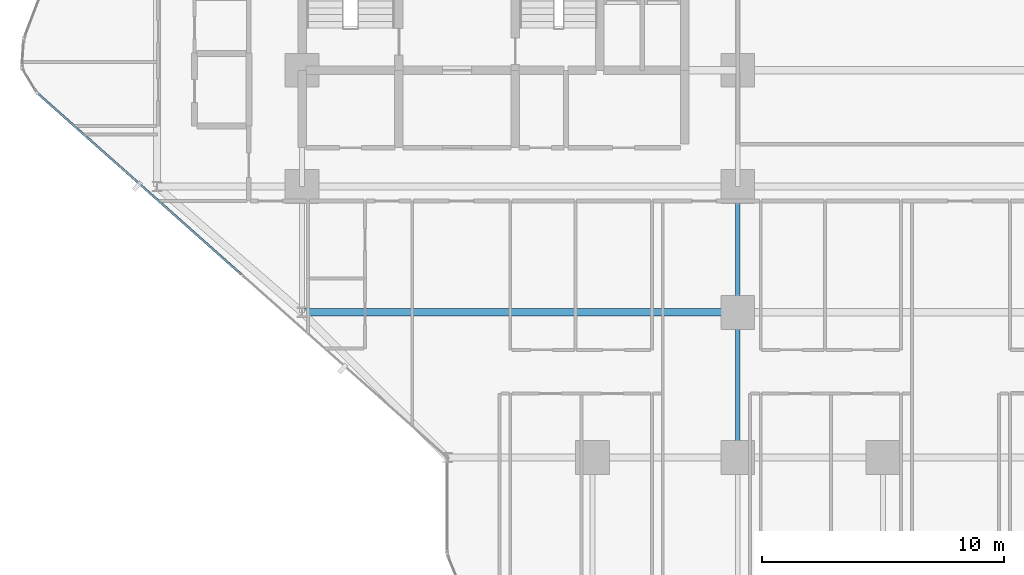
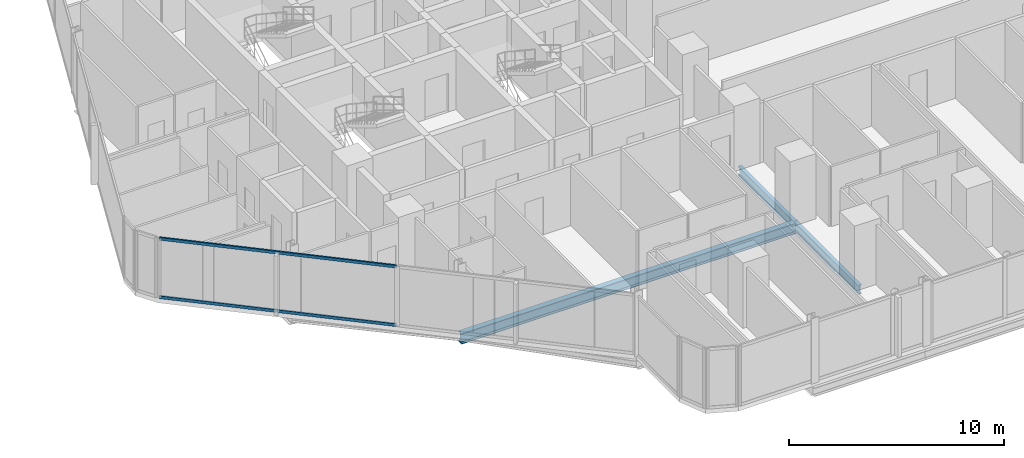
# One storey, part 4 of 34: 3 beams, 2 members, 1 element without a shape of its own.
"""IFC4 building model written with IfcOpenShell, lengths in metres."""

from ifc_helpers import new_model, si_unit, direction, frame, origin, origin_2d, place, context, subcontext, project, spatial, hollow_rectangle, i_section, extrude, material, layer, layer_set, material_profile, profile_set, type_object, element, aggregate, save


model = new_model("IFC4")

# Units and contexts
model_context = context("Model", 3, precision=1e-05, world=origin(), true_north=direction((0.0, 1.0)))
body_context = subcontext(model_context, "Body", "Model", "MODEL_VIEW")
ifc_project = project(units=[si_unit("LENGTHUNIT", "METRE"), si_unit("AREAUNIT", "SQUARE_METRE"), si_unit("VOLUMEUNIT", "CUBIC_METRE"), si_unit("PLANEANGLEUNIT", "RADIAN"), si_unit("MASSUNIT", "GRAM", prefix="KILO")], contexts=[model_context])

# Site, building, storey
site_placement = place(None, origin())
site = spatial("IfcSite", under=ifc_project, at=site_placement, CompositionType="ELEMENT")
building_placement = place(site_placement, origin())
building = spatial("IfcBuilding", under=site, at=building_placement, Name="Keshet Zoharim Tower", CompositionType="ELEMENT")
storey_placement = place(building_placement, frame((0.0, 0.0, 31.39990234375)))
storey = spatial("IfcBuildingStorey", under=building, at=storey_placement, Name="L06", CompositionType="ELEMENT", Elevation=31.39990234375)

# Beams
ifc_material_1 = material(Name="Steel S355", Category="steel")
ifc_material_profile_1 = material_profile(ifc_material_1, i_section(OverallWidth=0.300048828125, OverallDepth=0.60009765625, WebThickness=0.015380859375, FlangeThickness=0.030029296875, FilletRadius=0.027099609375, at=origin_2d()), Name="HEB600")
ifc_profile_set_1 = profile_set([ifc_material_profile_1], Name="Steel S355")
beam_type_1 = type_object("IfcBeamType", Name="BM-LNG-HB600", PredefinedType="BEAM", material=ifc_profile_set_1)
beam_1_placement = place(storey_placement, frame((15.0, 12.699951171875, -0.614990234375), z_axis=(1.0, 0.0, 0.0), x_axis=(0.0, 1.0, 0.0)))
element("IfcBeam", 1, at=beam_1_placement, inside=storey, type_object=beam_type_1, Name="L06 Primary Girder X-011", PredefinedType="BEAM", context=body_context, shape_type="SweptSolid", body=[
    extrude(i_section(OverallWidth=0.300048828125, OverallDepth=0.60009765625, WebThickness=0.015380859375, FlangeThickness=0.030029296875, FilletRadius=0.027099609375, at=origin_2d()), origin(), (0.0, 0.0, 1.0), 18.0),
])
ifc_material_profile_2 = material_profile(ifc_material_1, i_section(OverallWidth=0.199951171875, OverallDepth=0.5, WebThickness=0.01025390625, FlangeThickness=0.01611328125, FilletRadius=0.02099609375, at=origin_2d()), Name="IPE500")
ifc_profile_set_2 = profile_set([ifc_material_profile_2], Name="Steel S355")
beam_type_2 = type_object("IfcBeamType", Name="BM-PRI-IP500", PredefinedType="BEAM", material=ifc_profile_set_2)
beam_2_placement = place(storey_placement, frame((33.0, 6.699951171875, -0.56494140625), z_axis=(0.0, 1.0, 0.0), x_axis=(-1.0, 0.0, 0.0)))
element("IfcBeam", 2, at=beam_2_placement, inside=storey, type_object=beam_type_2, Name="L06 Primary Girder Y-006", PredefinedType="BEAM", context=body_context, shape_type="SweptSolid", body=[
    extrude(i_section(OverallWidth=0.199951171875, OverallDepth=0.5, WebThickness=0.01025390625, FlangeThickness=0.01611328125, FilletRadius=0.02099609375, at=origin_2d()), origin(), (0.0, 0.0, 1.0), 6.0),
])
beam_3_placement = place(storey_placement, frame((33.0, 12.699951171875, -0.56494140625), z_axis=(0.0, 1.0, 0.0), x_axis=(-1.0, 0.0, 0.0)))
element("IfcBeam", 3, at=beam_3_placement, inside=storey, type_object=beam_type_2, Name="L06 Primary Girder Y-007", PredefinedType="BEAM", context=body_context, shape_type="SweptSolid", body=[
    extrude(i_section(OverallWidth=0.199951171875, OverallDepth=0.5, WebThickness=0.01025390625, FlangeThickness=0.01611328125, FilletRadius=0.02099609375, at=origin_2d()), origin(), (0.0, 0.0, 1.0), 5.199951171875),
])

# Curtain wall, members
ifc_material_2 = material(Name="Aluminium 6063-T6", Category="aluminium")
ifc_layer = layer(ifc_material_2, 0.179931640625)
ifc_layer_set = layer_set([ifc_layer], Name="Aluminium 6063-T6")
curtain_wall_type = type_object("IfcCurtainWallType", Name="CW-SYS-01", PredefinedType="NOTDEFINED", material=ifc_layer_set)
curtain_wall_placement = place(storey_placement, origin())
curtain_wall = element("IfcCurtainWall", 4, at=curtain_wall_placement, inside=storey, type_object=curtain_wall_type, Name="L06 Unitised Curtain Wall 01", PredefinedType="NOTDEFINED")
ifc_material_profile_3 = material_profile(ifc_material_2, hollow_rectangle(XDim=0.0849609375, YDim=0.159912109375, WallThickness=0.00439453125, at=origin_2d()), Name="TRN-85x160")
ifc_profile_set_3 = profile_set([ifc_material_profile_3], Name="Aluminium 6063-T6")
member_type = type_object("IfcMemberType", Name="CWT-T16", PredefinedType="USERDEFINED", material=ifc_profile_set_3)
member_1_placement = place(storey_placement, frame((12.491455078125, 14.26318359375, 0.03515625), z_axis=(-0.747411714548, 0.664361143472, 0.0), x_axis=(-0.664361143472, -0.747411714548, 0.0)))
member_1 = element("IfcMember", 5, at=member_1_placement, type_object=member_type, Name="CW-01 transom 2.1", ObjectType="TRANSOM", PredefinedType="USERDEFINED", context=body_context, shape_type="SweptSolid", body=[
    extrude(hollow_rectangle(XDim=0.0849609375, YDim=0.159912109375, WallThickness=0.00439453125, at=origin_2d()), origin(), (0.0, 0.0, 1.0), 11.244140625),
])
member_2_placement = place(storey_placement, frame((12.491455078125, 14.26318359375, 3.35009765625), z_axis=(-0.747411714548, 0.664361143472, 0.0), x_axis=(-0.664361143472, -0.747411714548, 0.0)))
member_2 = element("IfcMember", 6, at=member_2_placement, type_object=member_type, Name="CW-01 transom 2.2", ObjectType="TRANSOM", PredefinedType="USERDEFINED", context=body_context, shape_type="SweptSolid", body=[
    extrude(hollow_rectangle(XDim=0.0849609375, YDim=0.159912109375, WallThickness=0.00439453125, at=origin_2d()), origin(), (0.0, 0.0, 1.0), 11.244140625),
])
aggregate(curtain_wall, [member_1, member_2])

save(model, "model.ifc")
